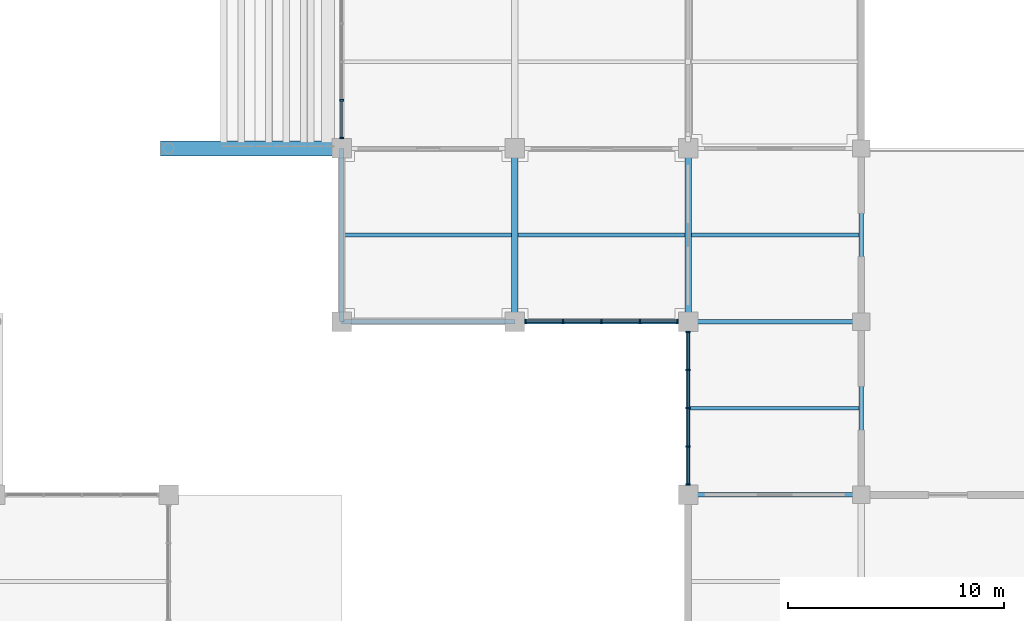
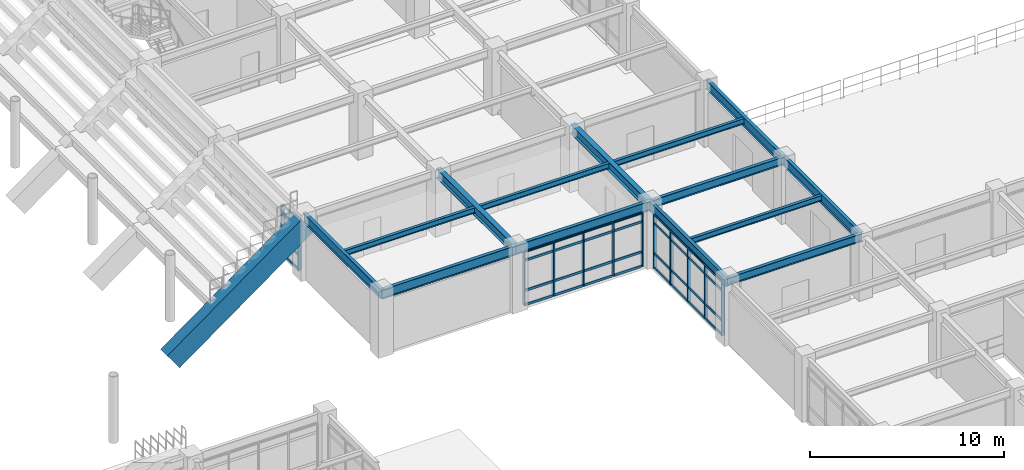
# One storey, part 36 of 118: 48 members, 15 beams, 3 elements without a shape of their own.
"""IFC4 building model written with IfcOpenShell, lengths in metres."""

from ifc_helpers import new_model, si_unit, direction, frame, origin, origin_2d, place, context, subcontext, project, spatial, rectangle, i_section, extrude, material, layer, layer_set, material_profile, profile_set, type_object, element, aggregate, save


model = new_model("IFC4")

# Units and contexts
model_context = context("Model", 3, precision=1e-05, world=origin(), true_north=direction((0.0, 1.0)))
body_context = subcontext(model_context, "Body", "Model", "MODEL_VIEW")
ifc_project = project(units=[si_unit("LENGTHUNIT", "METRE"), si_unit("AREAUNIT", "SQUARE_METRE"), si_unit("VOLUMEUNIT", "CUBIC_METRE"), si_unit("PLANEANGLEUNIT", "RADIAN"), si_unit("MASSUNIT", "GRAM", prefix="KILO")], contexts=[model_context])

# Site, building, storey
site_placement = place(None, origin())
site = spatial("IfcSite", under=ifc_project, at=site_placement, CompositionType="ELEMENT")
building_placement = place(site_placement, origin())
building = spatial("IfcBuilding", under=site, at=building_placement, Name="Haebicheon Civic Stadium", CompositionType="ELEMENT")
storey_placement = place(building_placement, frame((0.0, 0.0, 14.39990234375)))
storey = spatial("IfcBuildingStorey", under=building, at=storey_placement, Name="L04", CompositionType="ELEMENT", Elevation=14.39990234375)

# Beams
ifc_material_1 = material(Name="Steel SM355 (S355)", Category="steel")
ifc_material_profile_1 = material_profile(ifc_material_1, i_section(OverallWidth=0.199951171875, OverallDepth=0.5, WebThickness=0.010009765625, FlangeThickness=0.01611328125, at=origin_2d()), Name="H-500x200x10x16")
ifc_profile_set_1 = profile_set([ifc_material_profile_1], Name="Steel SM355 (S355)")
beam_type_1 = type_object("IfcBeamType", Name="BM-ST-H500", PredefinedType="BEAM", material=ifc_profile_set_1)
for number, where, z_axis, x_axis, name in (
    (1, (160.0, 32.0, 3.72998046875), (1.0, 0.0, 0.0), (0.0, 1.0, 0.0), "L04 beam E/21-22"),
    (2, (160.0, 40.0, 3.72998046875), (1.0, 0.0, 0.0), (0.0, 1.0, 0.0), "L04 beam F/21-22"),
):
    element("IfcBeam", number, at=place(storey_placement, frame(where, z_axis=z_axis, x_axis=x_axis)), inside=storey, type_object=beam_type_1, material=ifc_profile_set_1, Name=name, PredefinedType="BEAM", context=body_context, shape_type="SweptSolid", body=[
        extrude(i_section(OverallWidth=0.199951171875, OverallDepth=0.5, WebThickness=0.010009765625, FlangeThickness=0.01611328125, at=origin_2d()), origin(), (0.0, 0.0, 1.0), 8.0),
    ])
ifc_material_2 = material(Name="Steel SM355 (S355)", Category="steel")
ifc_material_profile_2 = material_profile(ifc_material_2, i_section(OverallWidth=0.300048828125, OverallDepth=0.60009765625, WebThickness=0.011962890625, FlangeThickness=0.02001953125, at=origin_2d()), Name="H-600x300x12x20")
ifc_profile_set_2 = profile_set([ifc_material_profile_2], Name="Steel SM355 (S355)")
beam_type_2 = type_object("IfcBeamType", Name="BM-ST-H600A", PredefinedType="BEAM", material=ifc_profile_set_2)
for number, where, z_axis, x_axis, name in (
    (3, (152.0, 40.0, 3.68017578125), (0.0, 1.0, 0.0), (-1.0, 0.0, 0.0), "L04 girder 20/F-G"),
    (4, (160.0, 40.0, 3.68017578125), (0.0, 1.0, 0.0), (-1.0, 0.0, 0.0), "L04 girder 21/F-G"),
):
    element("IfcBeam", number, at=place(storey_placement, frame(where, z_axis=z_axis, x_axis=x_axis)), inside=storey, type_object=beam_type_2, material=ifc_profile_set_2, Name=name, PredefinedType="BEAM", context=body_context, shape_type="SweptSolid", body=[
        extrude(i_section(OverallWidth=0.300048828125, OverallDepth=0.60009765625, WebThickness=0.011962890625, FlangeThickness=0.02001953125, at=origin_2d()), origin(), (0.0, 0.0, 1.0), 8.0),
    ])

# Curtain wall, members
ifc_material_3 = material(Name="Anodised aluminium and laminated glass", Category="aluminium")
ifc_layer_1 = layer(ifc_material_3, 0.179931640625, Name="Anodised aluminium and laminated glass")
ifc_layer_set_1 = layer_set([ifc_layer_1], Name="Anodised aluminium and laminated glass")
curtain_wall_type_1 = type_object("IfcCurtainWallType", Name="CW-7100x3100", PredefinedType="NOTDEFINED", material=ifc_layer_set_1)
curtain_wall_1_placement = place(storey_placement, origin())
curtain_wall_1 = element("IfcCurtainWall", 5, at=curtain_wall_1_placement, inside=storey, type_object=curtain_wall_type_1, material=ifc_layer_set_1, Name="L04 unitised curtain wall 143", PredefinedType="NOTDEFINED")
ifc_material_4 = material(Name="Anodised aluminium 6063-T6", Category="aluminium")
ifc_material_profile_3 = material_profile(ifc_material_4, rectangle(XDim=0.070068359375, YDim=0.199951171875, at=origin_2d()), Name="ALU-MULL-70x200")
ifc_profile_set_3 = profile_set([ifc_material_profile_3], Name="Anodised aluminium 6063-T6")
member_type_1 = type_object("IfcMemberType", Name="CWM-200x70", PredefinedType="MULLION", material=ifc_profile_set_3)
member_1_placement = place(storey_placement, frame((144.0, 48.485107421875, 0.0), z_axis=(0.0, 0.0, 1.0), x_axis=(0.0, 1.0, 0.0)))
member_1 = element("IfcMember", 6, at=member_1_placement, type_object=member_type_1, material=ifc_profile_set_3, Name="CW-L04-143 vertical mullion 1", PredefinedType="MULLION", context=body_context, shape_type="SweptSolid", body=[
    extrude(rectangle(XDim=0.070068359375, YDim=0.199951171875, at=origin_2d()), origin(), (0.0, 0.0, 1.0), 3.10009765625),
])
member_2_placement = place(storey_placement, frame((144.0, 50.22509765625, 0.0), z_axis=(0.0, 0.0, 1.0), x_axis=(0.0, 1.0, 0.0)))
member_2 = element("IfcMember", 7, at=member_2_placement, type_object=member_type_1, material=ifc_profile_set_3, Name="CW-L04-143 vertical mullion 2", PredefinedType="MULLION", context=body_context, shape_type="SweptSolid", body=[
    extrude(rectangle(XDim=0.070068359375, YDim=0.199951171875, at=origin_2d()), origin(), (0.0, 0.0, 1.0), 3.10009765625),
])

ifc_material_5 = material(Name="Anodised aluminium and laminated glass", Category="aluminium")
ifc_layer_2 = layer(ifc_material_5, 0.179931640625, Name="Anodised aluminium and laminated glass")
ifc_layer_set_2 = layer_set([ifc_layer_2], Name="Anodised aluminium and laminated glass")
curtain_wall_type_2 = type_object("IfcCurtainWallType", Name="CW-7100x3350", PredefinedType="NOTDEFINED", material=ifc_layer_set_2)
curtain_wall_2_placement = place(storey_placement, origin())
curtain_wall_2 = element("IfcCurtainWall", 8, at=curtain_wall_2_placement, inside=storey, type_object=curtain_wall_type_2, material=ifc_layer_set_2, Name="L04 unitised curtain wall 149", PredefinedType="NOTDEFINED")
member_3_placement = place(storey_placement, frame((152.485107421875, 40.0, 0.0), z_axis=(0.0, 0.0, 1.0), x_axis=(1.0, 0.0, 0.0)))
member_3 = element("IfcMember", 9, at=member_3_placement, type_object=member_type_1, material=ifc_profile_set_3, Name="CW-L04-149 vertical mullion 1", PredefinedType="MULLION", context=body_context, shape_type="SweptSolid", body=[
    extrude(rectangle(XDim=0.070068359375, YDim=0.199951171875, at=origin_2d()), origin(), (0.0, 0.0, 1.0), 3.35009765625),
])
member_4_placement = place(storey_placement, frame((154.22509765625, 40.0, 0.0), z_axis=(0.0, 0.0, 1.0), x_axis=(1.0, 0.0, 0.0)))
member_4 = element("IfcMember", 10, at=member_4_placement, type_object=member_type_1, material=ifc_profile_set_3, Name="CW-L04-149 vertical mullion 2", PredefinedType="MULLION", context=body_context, shape_type="SweptSolid", body=[
    extrude(rectangle(XDim=0.070068359375, YDim=0.199951171875, at=origin_2d()), origin(), (0.0, 0.0, 1.0), 3.35009765625),
])
member_5_placement = place(storey_placement, frame((156.0, 40.0, 0.0), z_axis=(0.0, 0.0, 1.0), x_axis=(1.0, 0.0, 0.0)))
member_5 = element("IfcMember", 11, at=member_5_placement, type_object=member_type_1, material=ifc_profile_set_3, Name="CW-L04-149 vertical mullion 3", PredefinedType="MULLION", context=body_context, shape_type="SweptSolid", body=[
    extrude(rectangle(XDim=0.070068359375, YDim=0.199951171875, at=origin_2d()), origin(), (0.0, 0.0, 1.0), 3.35009765625),
])
member_6_placement = place(storey_placement, frame((157.77490234375, 40.0, 0.0), z_axis=(0.0, 0.0, 1.0), x_axis=(1.0, 0.0, 0.0)))
member_6 = element("IfcMember", 12, at=member_6_placement, type_object=member_type_1, material=ifc_profile_set_3, Name="CW-L04-149 vertical mullion 4", PredefinedType="MULLION", context=body_context, shape_type="SweptSolid", body=[
    extrude(rectangle(XDim=0.070068359375, YDim=0.199951171875, at=origin_2d()), origin(), (0.0, 0.0, 1.0), 3.35009765625),
])
member_7_placement = place(storey_placement, frame((159.514892578125, 40.0, 0.0), z_axis=(0.0, 0.0, 1.0), x_axis=(1.0, 0.0, 0.0)))
member_7 = element("IfcMember", 13, at=member_7_placement, type_object=member_type_1, material=ifc_profile_set_3, Name="CW-L04-149 vertical mullion 5", PredefinedType="MULLION", context=body_context, shape_type="SweptSolid", body=[
    extrude(rectangle(XDim=0.070068359375, YDim=0.199951171875, at=origin_2d()), origin(), (0.0, 0.0, 1.0), 3.35009765625),
])

curtain_wall_3_placement = place(storey_placement, origin())
curtain_wall_3 = element("IfcCurtainWall", 14, at=curtain_wall_3_placement, inside=storey, type_object=curtain_wall_type_2, material=ifc_layer_set_2, Name="L04 unitised curtain wall 153", PredefinedType="NOTDEFINED")
member_8_placement = place(storey_placement, frame((160.0, 32.485107421875, 0.0), z_axis=(0.0, 0.0, 1.0), x_axis=(0.0, 1.0, 0.0)))
member_8 = element("IfcMember", 15, at=member_8_placement, type_object=member_type_1, material=ifc_profile_set_3, Name="CW-L04-153 vertical mullion 1", PredefinedType="MULLION", context=body_context, shape_type="SweptSolid", body=[
    extrude(rectangle(XDim=0.070068359375, YDim=0.199951171875, at=origin_2d()), origin(), (0.0, 0.0, 1.0), 3.35009765625),
])
member_9_placement = place(storey_placement, frame((160.0, 34.22509765625, 0.0), z_axis=(0.0, 0.0, 1.0), x_axis=(0.0, 1.0, 0.0)))
member_9 = element("IfcMember", 16, at=member_9_placement, type_object=member_type_1, material=ifc_profile_set_3, Name="CW-L04-153 vertical mullion 2", PredefinedType="MULLION", context=body_context, shape_type="SweptSolid", body=[
    extrude(rectangle(XDim=0.070068359375, YDim=0.199951171875, at=origin_2d()), origin(), (0.0, 0.0, 1.0), 3.35009765625),
])
member_10_placement = place(storey_placement, frame((160.0, 36.0, 0.0), z_axis=(0.0, 0.0, 1.0), x_axis=(0.0, 1.0, 0.0)))
member_10 = element("IfcMember", 17, at=member_10_placement, type_object=member_type_1, material=ifc_profile_set_3, Name="CW-L04-153 vertical mullion 3", PredefinedType="MULLION", context=body_context, shape_type="SweptSolid", body=[
    extrude(rectangle(XDim=0.070068359375, YDim=0.199951171875, at=origin_2d()), origin(), (0.0, 0.0, 1.0), 3.35009765625),
])
member_11_placement = place(storey_placement, frame((160.0, 37.77490234375, 0.0), z_axis=(0.0, 0.0, 1.0), x_axis=(0.0, 1.0, 0.0)))
member_11 = element("IfcMember", 18, at=member_11_placement, type_object=member_type_1, material=ifc_profile_set_3, Name="CW-L04-153 vertical mullion 4", PredefinedType="MULLION", context=body_context, shape_type="SweptSolid", body=[
    extrude(rectangle(XDim=0.070068359375, YDim=0.199951171875, at=origin_2d()), origin(), (0.0, 0.0, 1.0), 3.35009765625),
])
member_12_placement = place(storey_placement, frame((160.0, 39.514892578125, 0.0), z_axis=(0.0, 0.0, 1.0), x_axis=(0.0, 1.0, 0.0)))
member_12 = element("IfcMember", 19, at=member_12_placement, type_object=member_type_1, material=ifc_profile_set_3, Name="CW-L04-153 vertical mullion 5", PredefinedType="MULLION", context=body_context, shape_type="SweptSolid", body=[
    extrude(rectangle(XDim=0.070068359375, YDim=0.199951171875, at=origin_2d()), origin(), (0.0, 0.0, 1.0), 3.35009765625),
])

# Member
ifc_material_6 = material(Name="Anodised aluminium 6063-T6", Category="aluminium")
ifc_material_profile_4 = material_profile(ifc_material_6, rectangle(XDim=0.070068359375, YDim=0.14990234375, at=origin_2d()), Name="ALU-TRAN-70x150")
ifc_profile_set_4 = profile_set([ifc_material_profile_4], Name="Anodised aluminium 6063-T6")
member_type_2 = type_object("IfcMemberType", Name="CWT-150x70", PredefinedType="NOTDEFINED", material=ifc_profile_set_4)
member_13_placement = place(storey_placement, frame((144.0, 48.52001953125, 0.0), z_axis=(0.0, 1.0, 0.0), x_axis=(-1.0, 0.0, 0.0)))
member_13 = element("IfcMember", 20, at=member_13_placement, type_object=member_type_2, material=ifc_profile_set_4, Name="CW-L04-143 horizontal transom 1.1", ObjectType="TRANSOM", PredefinedType="USERDEFINED", context=body_context, shape_type="SweptSolid", body=[
    extrude(rectangle(XDim=0.070068359375, YDim=0.14990234375, at=origin_2d()), origin(), (0.0, 0.0, 1.0), 1.669921875),
])

member_14_placement = place(storey_placement, frame((144.0, 48.52001953125, 0.900146484375), z_axis=(0.0, 1.0, 0.0), x_axis=(-1.0, 0.0, 0.0)))
member_14 = element("IfcMember", 21, at=member_14_placement, type_object=member_type_2, material=ifc_profile_set_4, Name="CW-L04-143 horizontal transom 1.2", ObjectType="TRANSOM", PredefinedType="USERDEFINED", context=body_context, shape_type="SweptSolid", body=[
    extrude(rectangle(XDim=0.070068359375, YDim=0.14990234375, at=origin_2d()), origin(), (0.0, 0.0, 1.0), 1.669921875),
])

member_15_placement = place(storey_placement, frame((144.0, 48.52001953125, 2.550048828125), z_axis=(0.0, 1.0, 0.0), x_axis=(-1.0, 0.0, 0.0)))
member_15 = element("IfcMember", 22, at=member_15_placement, type_object=member_type_2, material=ifc_profile_set_4, Name="CW-L04-143 horizontal transom 1.3", ObjectType="TRANSOM", PredefinedType="USERDEFINED", context=body_context, shape_type="SweptSolid", body=[
    extrude(rectangle(XDim=0.070068359375, YDim=0.14990234375, at=origin_2d()), origin(), (0.0, 0.0, 1.0), 1.669921875),
])

member_16_placement = place(storey_placement, frame((144.0, 48.52001953125, 3.10009765625), z_axis=(0.0, 1.0, 0.0), x_axis=(-1.0, 0.0, 0.0)))
member_16 = element("IfcMember", 23, at=member_16_placement, type_object=member_type_2, material=ifc_profile_set_4, Name="CW-L04-143 horizontal transom 1.4", ObjectType="TRANSOM", PredefinedType="USERDEFINED", context=body_context, shape_type="SweptSolid", body=[
    extrude(rectangle(XDim=0.070068359375, YDim=0.14990234375, at=origin_2d()), origin(), (0.0, 0.0, 1.0), 1.669921875),
])

aggregate(curtain_wall_1, [member_1, member_2, member_13, member_14, member_15, member_16])

member_17_placement = place(storey_placement, frame((152.52001953125, 40.0, 0.0), z_axis=(1.0, 0.0, 0.0), x_axis=(0.0, 1.0, 0.0)))
member_17 = element("IfcMember", 24, at=member_17_placement, type_object=member_type_2, material=ifc_profile_set_4, Name="CW-L04-149 horizontal transom 1.1", ObjectType="TRANSOM", PredefinedType="USERDEFINED", context=body_context, shape_type="SweptSolid", body=[
    extrude(rectangle(XDim=0.070068359375, YDim=0.14990234375, at=origin_2d()), origin(), (0.0, 0.0, 1.0), 1.669921875),
])

member_18_placement = place(storey_placement, frame((152.52001953125, 40.0, 0.900146484375), z_axis=(1.0, 0.0, 0.0), x_axis=(0.0, 1.0, 0.0)))
member_18 = element("IfcMember", 25, at=member_18_placement, type_object=member_type_2, material=ifc_profile_set_4, Name="CW-L04-149 horizontal transom 1.2", ObjectType="TRANSOM", PredefinedType="USERDEFINED", context=body_context, shape_type="SweptSolid", body=[
    extrude(rectangle(XDim=0.070068359375, YDim=0.14990234375, at=origin_2d()), origin(), (0.0, 0.0, 1.0), 1.669921875),
])

member_19_placement = place(storey_placement, frame((152.52001953125, 40.0, 2.800048828125), z_axis=(1.0, 0.0, 0.0), x_axis=(0.0, 1.0, 0.0)))
member_19 = element("IfcMember", 26, at=member_19_placement, type_object=member_type_2, material=ifc_profile_set_4, Name="CW-L04-149 horizontal transom 1.3", ObjectType="TRANSOM", PredefinedType="USERDEFINED", context=body_context, shape_type="SweptSolid", body=[
    extrude(rectangle(XDim=0.070068359375, YDim=0.14990234375, at=origin_2d()), origin(), (0.0, 0.0, 1.0), 1.669921875),
])

member_20_placement = place(storey_placement, frame((152.52001953125, 40.0, 3.35009765625), z_axis=(1.0, 0.0, 0.0), x_axis=(0.0, 1.0, 0.0)))
member_20 = element("IfcMember", 27, at=member_20_placement, type_object=member_type_2, material=ifc_profile_set_4, Name="CW-L04-149 horizontal transom 1.4", ObjectType="TRANSOM", PredefinedType="USERDEFINED", context=body_context, shape_type="SweptSolid", body=[
    extrude(rectangle(XDim=0.070068359375, YDim=0.14990234375, at=origin_2d()), origin(), (0.0, 0.0, 1.0), 1.669921875),
])

member_21_placement = place(storey_placement, frame((154.260009765625, 40.0, 0.0), z_axis=(1.0, 0.0, 0.0), x_axis=(0.0, 1.0, 0.0)))
member_21 = element("IfcMember", 28, at=member_21_placement, type_object=member_type_2, material=ifc_profile_set_4, Name="CW-L04-149 horizontal transom 2.1", ObjectType="TRANSOM", PredefinedType="USERDEFINED", context=body_context, shape_type="SweptSolid", body=[
    extrude(rectangle(XDim=0.070068359375, YDim=0.14990234375, at=origin_2d()), origin(), (0.0, 0.0, 1.0), 1.705078125),
])

member_22_placement = place(storey_placement, frame((154.260009765625, 40.0, 0.900146484375), z_axis=(1.0, 0.0, 0.0), x_axis=(0.0, 1.0, 0.0)))
member_22 = element("IfcMember", 29, at=member_22_placement, type_object=member_type_2, material=ifc_profile_set_4, Name="CW-L04-149 horizontal transom 2.2", ObjectType="TRANSOM", PredefinedType="USERDEFINED", context=body_context, shape_type="SweptSolid", body=[
    extrude(rectangle(XDim=0.070068359375, YDim=0.14990234375, at=origin_2d()), origin(), (0.0, 0.0, 1.0), 1.705078125),
])

member_23_placement = place(storey_placement, frame((154.260009765625, 40.0, 2.800048828125), z_axis=(1.0, 0.0, 0.0), x_axis=(0.0, 1.0, 0.0)))
member_23 = element("IfcMember", 30, at=member_23_placement, type_object=member_type_2, material=ifc_profile_set_4, Name="CW-L04-149 horizontal transom 2.3", ObjectType="TRANSOM", PredefinedType="USERDEFINED", context=body_context, shape_type="SweptSolid", body=[
    extrude(rectangle(XDim=0.070068359375, YDim=0.14990234375, at=origin_2d()), origin(), (0.0, 0.0, 1.0), 1.705078125),
])

member_24_placement = place(storey_placement, frame((154.260009765625, 40.0, 3.35009765625), z_axis=(1.0, 0.0, 0.0), x_axis=(0.0, 1.0, 0.0)))
member_24 = element("IfcMember", 31, at=member_24_placement, type_object=member_type_2, material=ifc_profile_set_4, Name="CW-L04-149 horizontal transom 2.4", ObjectType="TRANSOM", PredefinedType="USERDEFINED", context=body_context, shape_type="SweptSolid", body=[
    extrude(rectangle(XDim=0.070068359375, YDim=0.14990234375, at=origin_2d()), origin(), (0.0, 0.0, 1.0), 1.705078125),
])

member_25_placement = place(storey_placement, frame((156.034912109375, 40.0, 0.0), z_axis=(1.0, 0.0, 0.0), x_axis=(0.0, 1.0, 0.0)))
member_25 = element("IfcMember", 32, at=member_25_placement, type_object=member_type_2, material=ifc_profile_set_4, Name="CW-L04-149 horizontal transom 3.1", ObjectType="TRANSOM", PredefinedType="USERDEFINED", context=body_context, shape_type="SweptSolid", body=[
    extrude(rectangle(XDim=0.070068359375, YDim=0.14990234375, at=origin_2d()), origin(), (0.0, 0.0, 1.0), 1.705078125),
])

member_26_placement = place(storey_placement, frame((156.034912109375, 40.0, 0.900146484375), z_axis=(1.0, 0.0, 0.0), x_axis=(0.0, 1.0, 0.0)))
member_26 = element("IfcMember", 33, at=member_26_placement, type_object=member_type_2, material=ifc_profile_set_4, Name="CW-L04-149 horizontal transom 3.2", ObjectType="TRANSOM", PredefinedType="USERDEFINED", context=body_context, shape_type="SweptSolid", body=[
    extrude(rectangle(XDim=0.070068359375, YDim=0.14990234375, at=origin_2d()), origin(), (0.0, 0.0, 1.0), 1.705078125),
])

member_27_placement = place(storey_placement, frame((156.034912109375, 40.0, 2.800048828125), z_axis=(1.0, 0.0, 0.0), x_axis=(0.0, 1.0, 0.0)))
member_27 = element("IfcMember", 34, at=member_27_placement, type_object=member_type_2, material=ifc_profile_set_4, Name="CW-L04-149 horizontal transom 3.3", ObjectType="TRANSOM", PredefinedType="USERDEFINED", context=body_context, shape_type="SweptSolid", body=[
    extrude(rectangle(XDim=0.070068359375, YDim=0.14990234375, at=origin_2d()), origin(), (0.0, 0.0, 1.0), 1.705078125),
])

member_28_placement = place(storey_placement, frame((156.034912109375, 40.0, 3.35009765625), z_axis=(1.0, 0.0, 0.0), x_axis=(0.0, 1.0, 0.0)))
member_28 = element("IfcMember", 35, at=member_28_placement, type_object=member_type_2, material=ifc_profile_set_4, Name="CW-L04-149 horizontal transom 3.4", ObjectType="TRANSOM", PredefinedType="USERDEFINED", context=body_context, shape_type="SweptSolid", body=[
    extrude(rectangle(XDim=0.070068359375, YDim=0.14990234375, at=origin_2d()), origin(), (0.0, 0.0, 1.0), 1.705078125),
])

member_29_placement = place(storey_placement, frame((157.81005859375, 40.0, 0.0), z_axis=(1.0, 0.0, 0.0), x_axis=(0.0, 1.0, 0.0)))
member_29 = element("IfcMember", 36, at=member_29_placement, type_object=member_type_2, material=ifc_profile_set_4, Name="CW-L04-149 horizontal transom 4.1", ObjectType="TRANSOM", PredefinedType="USERDEFINED", context=body_context, shape_type="SweptSolid", body=[
    extrude(rectangle(XDim=0.070068359375, YDim=0.14990234375, at=origin_2d()), origin(), (0.0, 0.0, 1.0), 1.669921875),
])

member_30_placement = place(storey_placement, frame((157.81005859375, 40.0, 0.900146484375), z_axis=(1.0, 0.0, 0.0), x_axis=(0.0, 1.0, 0.0)))
member_30 = element("IfcMember", 37, at=member_30_placement, type_object=member_type_2, material=ifc_profile_set_4, Name="CW-L04-149 horizontal transom 4.2", ObjectType="TRANSOM", PredefinedType="USERDEFINED", context=body_context, shape_type="SweptSolid", body=[
    extrude(rectangle(XDim=0.070068359375, YDim=0.14990234375, at=origin_2d()), origin(), (0.0, 0.0, 1.0), 1.669921875),
])

member_31_placement = place(storey_placement, frame((157.81005859375, 40.0, 2.800048828125), z_axis=(1.0, 0.0, 0.0), x_axis=(0.0, 1.0, 0.0)))
member_31 = element("IfcMember", 38, at=member_31_placement, type_object=member_type_2, material=ifc_profile_set_4, Name="CW-L04-149 horizontal transom 4.3", ObjectType="TRANSOM", PredefinedType="USERDEFINED", context=body_context, shape_type="SweptSolid", body=[
    extrude(rectangle(XDim=0.070068359375, YDim=0.14990234375, at=origin_2d()), origin(), (0.0, 0.0, 1.0), 1.669921875),
])

member_32_placement = place(storey_placement, frame((157.81005859375, 40.0, 3.35009765625), z_axis=(1.0, 0.0, 0.0), x_axis=(0.0, 1.0, 0.0)))
member_32 = element("IfcMember", 39, at=member_32_placement, type_object=member_type_2, material=ifc_profile_set_4, Name="CW-L04-149 horizontal transom 4.4", ObjectType="TRANSOM", PredefinedType="USERDEFINED", context=body_context, shape_type="SweptSolid", body=[
    extrude(rectangle(XDim=0.070068359375, YDim=0.14990234375, at=origin_2d()), origin(), (0.0, 0.0, 1.0), 1.669921875),
])

aggregate(curtain_wall_2, [member_3, member_4, member_5, member_6, member_7, member_17, member_18, member_19, member_20, member_21, member_22, member_23, member_24, member_25, member_26, member_27, member_28, member_29, member_30, member_31, member_32])

member_33_placement = place(storey_placement, frame((160.0, 32.52001953125, 0.0), z_axis=(0.0, 1.0, 0.0), x_axis=(-1.0, 0.0, 0.0)))
member_33 = element("IfcMember", 40, at=member_33_placement, type_object=member_type_2, material=ifc_profile_set_4, Name="CW-L04-153 horizontal transom 1.1", ObjectType="TRANSOM", PredefinedType="USERDEFINED", context=body_context, shape_type="SweptSolid", body=[
    extrude(rectangle(XDim=0.070068359375, YDim=0.14990234375, at=origin_2d()), origin(), (0.0, 0.0, 1.0), 1.669921875),
])

member_34_placement = place(storey_placement, frame((160.0, 32.52001953125, 0.900146484375), z_axis=(0.0, 1.0, 0.0), x_axis=(-1.0, 0.0, 0.0)))
member_34 = element("IfcMember", 41, at=member_34_placement, type_object=member_type_2, material=ifc_profile_set_4, Name="CW-L04-153 horizontal transom 1.2", ObjectType="TRANSOM", PredefinedType="USERDEFINED", context=body_context, shape_type="SweptSolid", body=[
    extrude(rectangle(XDim=0.070068359375, YDim=0.14990234375, at=origin_2d()), origin(), (0.0, 0.0, 1.0), 1.669921875),
])

member_35_placement = place(storey_placement, frame((160.0, 32.52001953125, 2.800048828125), z_axis=(0.0, 1.0, 0.0), x_axis=(-1.0, 0.0, 0.0)))
member_35 = element("IfcMember", 42, at=member_35_placement, type_object=member_type_2, material=ifc_profile_set_4, Name="CW-L04-153 horizontal transom 1.3", ObjectType="TRANSOM", PredefinedType="USERDEFINED", context=body_context, shape_type="SweptSolid", body=[
    extrude(rectangle(XDim=0.070068359375, YDim=0.14990234375, at=origin_2d()), origin(), (0.0, 0.0, 1.0), 1.669921875),
])

member_36_placement = place(storey_placement, frame((160.0, 32.52001953125, 3.35009765625), z_axis=(0.0, 1.0, 0.0), x_axis=(-1.0, 0.0, 0.0)))
member_36 = element("IfcMember", 43, at=member_36_placement, type_object=member_type_2, material=ifc_profile_set_4, Name="CW-L04-153 horizontal transom 1.4", ObjectType="TRANSOM", PredefinedType="USERDEFINED", context=body_context, shape_type="SweptSolid", body=[
    extrude(rectangle(XDim=0.070068359375, YDim=0.14990234375, at=origin_2d()), origin(), (0.0, 0.0, 1.0), 1.669921875),
])

member_37_placement = place(storey_placement, frame((160.0, 34.260009765625, 0.0), z_axis=(0.0, 1.0, 0.0), x_axis=(-1.0, 0.0, 0.0)))
member_37 = element("IfcMember", 44, at=member_37_placement, type_object=member_type_2, material=ifc_profile_set_4, Name="CW-L04-153 horizontal transom 2.1", ObjectType="TRANSOM", PredefinedType="USERDEFINED", context=body_context, shape_type="SweptSolid", body=[
    extrude(rectangle(XDim=0.070068359375, YDim=0.14990234375, at=origin_2d()), origin(), (0.0, 0.0, 1.0), 1.705078125),
])

member_38_placement = place(storey_placement, frame((160.0, 34.260009765625, 0.900146484375), z_axis=(0.0, 1.0, 0.0), x_axis=(-1.0, 0.0, 0.0)))
member_38 = element("IfcMember", 45, at=member_38_placement, type_object=member_type_2, material=ifc_profile_set_4, Name="CW-L04-153 horizontal transom 2.2", ObjectType="TRANSOM", PredefinedType="USERDEFINED", context=body_context, shape_type="SweptSolid", body=[
    extrude(rectangle(XDim=0.070068359375, YDim=0.14990234375, at=origin_2d()), origin(), (0.0, 0.0, 1.0), 1.705078125),
])

member_39_placement = place(storey_placement, frame((160.0, 34.260009765625, 2.800048828125), z_axis=(0.0, 1.0, 0.0), x_axis=(-1.0, 0.0, 0.0)))
member_39 = element("IfcMember", 46, at=member_39_placement, type_object=member_type_2, material=ifc_profile_set_4, Name="CW-L04-153 horizontal transom 2.3", ObjectType="TRANSOM", PredefinedType="USERDEFINED", context=body_context, shape_type="SweptSolid", body=[
    extrude(rectangle(XDim=0.070068359375, YDim=0.14990234375, at=origin_2d()), origin(), (0.0, 0.0, 1.0), 1.705078125),
])

member_40_placement = place(storey_placement, frame((160.0, 34.260009765625, 3.35009765625), z_axis=(0.0, 1.0, 0.0), x_axis=(-1.0, 0.0, 0.0)))
member_40 = element("IfcMember", 47, at=member_40_placement, type_object=member_type_2, material=ifc_profile_set_4, Name="CW-L04-153 horizontal transom 2.4", ObjectType="TRANSOM", PredefinedType="USERDEFINED", context=body_context, shape_type="SweptSolid", body=[
    extrude(rectangle(XDim=0.070068359375, YDim=0.14990234375, at=origin_2d()), origin(), (0.0, 0.0, 1.0), 1.705078125),
])

member_41_placement = place(storey_placement, frame((160.0, 36.034912109375, 0.0), z_axis=(0.0, 1.0, 0.0), x_axis=(-1.0, 0.0, 0.0)))
member_41 = element("IfcMember", 48, at=member_41_placement, type_object=member_type_2, material=ifc_profile_set_4, Name="CW-L04-153 horizontal transom 3.1", ObjectType="TRANSOM", PredefinedType="USERDEFINED", context=body_context, shape_type="SweptSolid", body=[
    extrude(rectangle(XDim=0.070068359375, YDim=0.14990234375, at=origin_2d()), origin(), (0.0, 0.0, 1.0), 1.705078125),
])

member_42_placement = place(storey_placement, frame((160.0, 36.034912109375, 0.900146484375), z_axis=(0.0, 1.0, 0.0), x_axis=(-1.0, 0.0, 0.0)))
member_42 = element("IfcMember", 49, at=member_42_placement, type_object=member_type_2, material=ifc_profile_set_4, Name="CW-L04-153 horizontal transom 3.2", ObjectType="TRANSOM", PredefinedType="USERDEFINED", context=body_context, shape_type="SweptSolid", body=[
    extrude(rectangle(XDim=0.070068359375, YDim=0.14990234375, at=origin_2d()), origin(), (0.0, 0.0, 1.0), 1.705078125),
])

member_43_placement = place(storey_placement, frame((160.0, 36.034912109375, 2.800048828125), z_axis=(0.0, 1.0, 0.0), x_axis=(-1.0, 0.0, 0.0)))
member_43 = element("IfcMember", 50, at=member_43_placement, type_object=member_type_2, material=ifc_profile_set_4, Name="CW-L04-153 horizontal transom 3.3", ObjectType="TRANSOM", PredefinedType="USERDEFINED", context=body_context, shape_type="SweptSolid", body=[
    extrude(rectangle(XDim=0.070068359375, YDim=0.14990234375, at=origin_2d()), origin(), (0.0, 0.0, 1.0), 1.705078125),
])

member_44_placement = place(storey_placement, frame((160.0, 36.034912109375, 3.35009765625), z_axis=(0.0, 1.0, 0.0), x_axis=(-1.0, 0.0, 0.0)))
member_44 = element("IfcMember", 51, at=member_44_placement, type_object=member_type_2, material=ifc_profile_set_4, Name="CW-L04-153 horizontal transom 3.4", ObjectType="TRANSOM", PredefinedType="USERDEFINED", context=body_context, shape_type="SweptSolid", body=[
    extrude(rectangle(XDim=0.070068359375, YDim=0.14990234375, at=origin_2d()), origin(), (0.0, 0.0, 1.0), 1.705078125),
])

member_45_placement = place(storey_placement, frame((160.0, 37.81005859375, 0.0), z_axis=(0.0, 1.0, 0.0), x_axis=(-1.0, 0.0, 0.0)))
member_45 = element("IfcMember", 52, at=member_45_placement, type_object=member_type_2, material=ifc_profile_set_4, Name="CW-L04-153 horizontal transom 4.1", ObjectType="TRANSOM", PredefinedType="USERDEFINED", context=body_context, shape_type="SweptSolid", body=[
    extrude(rectangle(XDim=0.070068359375, YDim=0.14990234375, at=origin_2d()), origin(), (0.0, 0.0, 1.0), 1.669921875),
])

member_46_placement = place(storey_placement, frame((160.0, 37.81005859375, 0.900146484375), z_axis=(0.0, 1.0, 0.0), x_axis=(-1.0, 0.0, 0.0)))
member_46 = element("IfcMember", 53, at=member_46_placement, type_object=member_type_2, material=ifc_profile_set_4, Name="CW-L04-153 horizontal transom 4.2", ObjectType="TRANSOM", PredefinedType="USERDEFINED", context=body_context, shape_type="SweptSolid", body=[
    extrude(rectangle(XDim=0.070068359375, YDim=0.14990234375, at=origin_2d()), origin(), (0.0, 0.0, 1.0), 1.669921875),
])

member_47_placement = place(storey_placement, frame((160.0, 37.81005859375, 2.800048828125), z_axis=(0.0, 1.0, 0.0), x_axis=(-1.0, 0.0, 0.0)))
member_47 = element("IfcMember", 54, at=member_47_placement, type_object=member_type_2, material=ifc_profile_set_4, Name="CW-L04-153 horizontal transom 4.3", ObjectType="TRANSOM", PredefinedType="USERDEFINED", context=body_context, shape_type="SweptSolid", body=[
    extrude(rectangle(XDim=0.070068359375, YDim=0.14990234375, at=origin_2d()), origin(), (0.0, 0.0, 1.0), 1.669921875),
])

member_48_placement = place(storey_placement, frame((160.0, 37.81005859375, 3.35009765625), z_axis=(0.0, 1.0, 0.0), x_axis=(-1.0, 0.0, 0.0)))
member_48 = element("IfcMember", 55, at=member_48_placement, type_object=member_type_2, material=ifc_profile_set_4, Name="CW-L04-153 horizontal transom 4.4", ObjectType="TRANSOM", PredefinedType="USERDEFINED", context=body_context, shape_type="SweptSolid", body=[
    extrude(rectangle(XDim=0.070068359375, YDim=0.14990234375, at=origin_2d()), origin(), (0.0, 0.0, 1.0), 1.669921875),
])

aggregate(curtain_wall_3, [member_8, member_9, member_10, member_11, member_12, member_33, member_34, member_35, member_36, member_37, member_38, member_39, member_40, member_41, member_42, member_43, member_44, member_45, member_46, member_47, member_48])

# Beams
ifc_material_7 = material(Name="Steel SM355 (S355)", Category="steel")
ifc_material_profile_5 = material_profile(ifc_material_7, i_section(OverallWidth=0.175048828125, OverallDepth=0.35009765625, WebThickness=0.007080078125, FlangeThickness=0.010986328125, at=origin_2d()), Name="H-350x175x7x11")
ifc_profile_set_5 = profile_set([ifc_material_profile_5], Name="Steel SM355 (S355)")
beam_type_3 = type_object("IfcBeamType", Name="JST-ST-H350", PredefinedType="JOIST", material=ifc_profile_set_5)
beam_1_placement = place(storey_placement, frame((144.10009765625, 44.0, 3.80517578125), z_axis=(1.0, 0.0, 0.0), x_axis=(0.0, 1.0, 0.0)))
element("IfcBeam", 56, at=beam_1_placement, inside=storey, type_object=beam_type_3, material=ifc_profile_set_5, Name="L04 secondary joist 18-05", PredefinedType="JOIST", context=body_context, shape_type="SweptSolid", body=[
    extrude(i_section(OverallWidth=0.175048828125, OverallDepth=0.35009765625, WebThickness=0.007080078125, FlangeThickness=0.010986328125, at=origin_2d()), origin(), (0.0, 0.0, 1.0), 7.75),
])
beam_2_placement = place(storey_placement, frame((152.14990234375, 44.0, 3.80517578125), z_axis=(1.0, 0.0, 0.0), x_axis=(0.0, 1.0, 0.0)))
element("IfcBeam", 57, at=beam_2_placement, inside=storey, type_object=beam_type_3, material=ifc_profile_set_5, Name="L04 secondary joist 19-05", PredefinedType="JOIST", context=body_context, shape_type="SweptSolid", body=[
    extrude(i_section(OverallWidth=0.175048828125, OverallDepth=0.35009765625, WebThickness=0.007080078125, FlangeThickness=0.010986328125, at=origin_2d()), origin(), (0.0, 0.0, 1.0), 7.7001953125),
])
beam_3_placement = place(storey_placement, frame((160.10009765625, 36.0, 3.80517578125), z_axis=(1.0, 0.0, 0.0), x_axis=(0.0, 1.0, 0.0)))
element("IfcBeam", 58, at=beam_3_placement, inside=storey, type_object=beam_type_3, material=ifc_profile_set_5, Name="L04 secondary joist 20-04", PredefinedType="JOIST", context=body_context, shape_type="SweptSolid", body=[
    extrude(i_section(OverallWidth=0.175048828125, OverallDepth=0.35009765625, WebThickness=0.007080078125, FlangeThickness=0.010986328125, at=origin_2d()), origin(), (0.0, 0.0, 1.0), 7.7998046875),
])
beam_4_placement = place(storey_placement, frame((160.14990234375, 44.0, 3.80517578125), z_axis=(1.0, 0.0, 0.0), x_axis=(0.0, 1.0, 0.0)))
element("IfcBeam", 59, at=beam_4_placement, inside=storey, type_object=beam_type_3, material=ifc_profile_set_5, Name="L04 secondary joist 20-05", PredefinedType="JOIST", context=body_context, shape_type="SweptSolid", body=[
    extrude(i_section(OverallWidth=0.175048828125, OverallDepth=0.35009765625, WebThickness=0.007080078125, FlangeThickness=0.010986328125, at=origin_2d()), origin(), (0.0, 0.0, 1.0), 7.75),
])
ifc_material_8 = material(Name="Precast concrete C40/50", Category="concrete")
ifc_material_profile_6 = material_profile(ifc_material_8, rectangle(XDim=0.699951171875, YDim=1.25, at=origin_2d()), Name="PC-RK-700x1250")
ifc_profile_set_6 = profile_set([ifc_material_profile_6], Name="Precast concrete C40/50")
beam_type_4 = type_object("IfcBeamType", Name="RK-PC-700x1250", PredefinedType="USERDEFINED", material=ifc_profile_set_6)
beam_5_placement = place(storey_placement, frame((136.0, 48.0, -2.46484375), z_axis=(0.809608095134, 0.0, 0.586970810428), x_axis=(0.0, 1.0, 0.0)))
element("IfcBeam", 60, at=beam_5_placement, inside=storey, type_object=beam_type_4, material=ifc_profile_set_6, Name="TIER-E-U inclined precast raker beam 1", ObjectType="RAKER BEAM", PredefinedType="USERDEFINED", context=body_context, shape_type="SweptSolid", body=[
    extrude(rectangle(XDim=0.699951171875, YDim=1.25, at=origin_2d()), origin(), (0.0, 0.0, 1.0), 9.88134765625),
])
ifc_material_9 = material(Name="Steel SM355 (S355)", Category="steel")
ifc_material_profile_7 = material_profile(ifc_material_9, i_section(OverallWidth=0.199951171875, OverallDepth=0.60009765625, WebThickness=0.010986328125, FlangeThickness=0.01708984375, at=origin_2d()), Name="H-600x200x11x17")
ifc_profile_set_7 = profile_set([ifc_material_profile_7], Name="Steel SM355 (S355)")
beam_type_5 = type_object("IfcBeamType", Name="SPD-ST-H600B", PredefinedType="SPANDREL", material=ifc_profile_set_7)
for number, where, z_axis, x_axis, name in (
    (61, (144.0, 40.0, 3.68017578125), (0.0, 1.0, 0.0), (-1.0, 0.0, 0.0), "L04 girder 19/F-G"),
    (62, (160.0, 32.0, 3.68017578125), (0.0, 1.0, 0.0), (-1.0, 0.0, 0.0), "L04 girder 21/E-F"),
    (63, (168.0, 32.0, 3.68017578125), (0.0, 1.0, 0.0), (-1.0, 0.0, 0.0), "L04 girder 22/E-F"),
    (64, (168.0, 40.0, 3.68017578125), (0.0, 1.0, 0.0), (-1.0, 0.0, 0.0), "L04 girder 22/F-G"),
    (65, (144.0, 40.0, 3.68017578125), (1.0, 0.0, 0.0), (0.0, 1.0, 0.0), "L04 beam F/19-20"),
    (66, (152.0, 40.0, 3.68017578125), (1.0, 0.0, 0.0), (0.0, 1.0, 0.0), "L04 beam F/20-21"),
):
    element("IfcBeam", number, at=place(storey_placement, frame(where, z_axis=z_axis, x_axis=x_axis)), inside=storey, type_object=beam_type_5, material=ifc_profile_set_7, Name=name, PredefinedType="SPANDREL", context=body_context, shape_type="SweptSolid", body=[
        extrude(i_section(OverallWidth=0.199951171875, OverallDepth=0.60009765625, WebThickness=0.010986328125, FlangeThickness=0.01708984375, at=origin_2d()), origin(), (0.0, 0.0, 1.0), 8.0),
    ])

save(model, "model.ifc")
